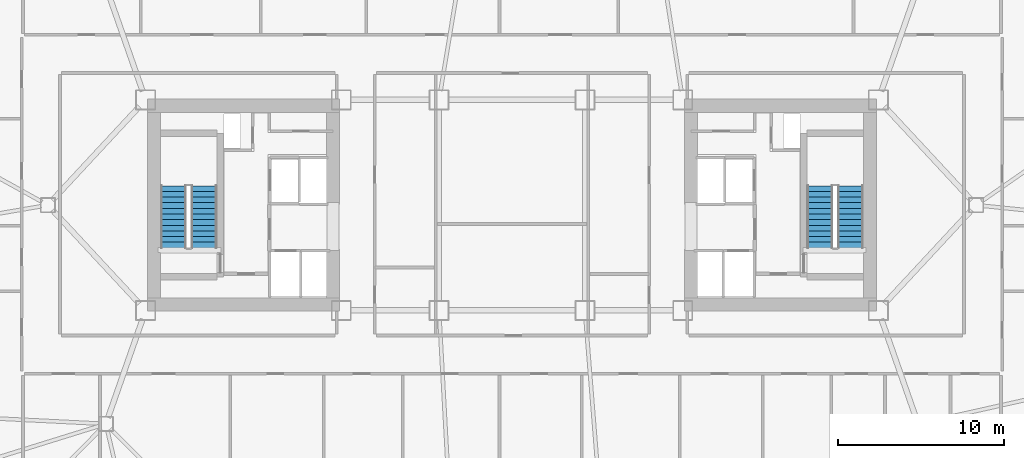
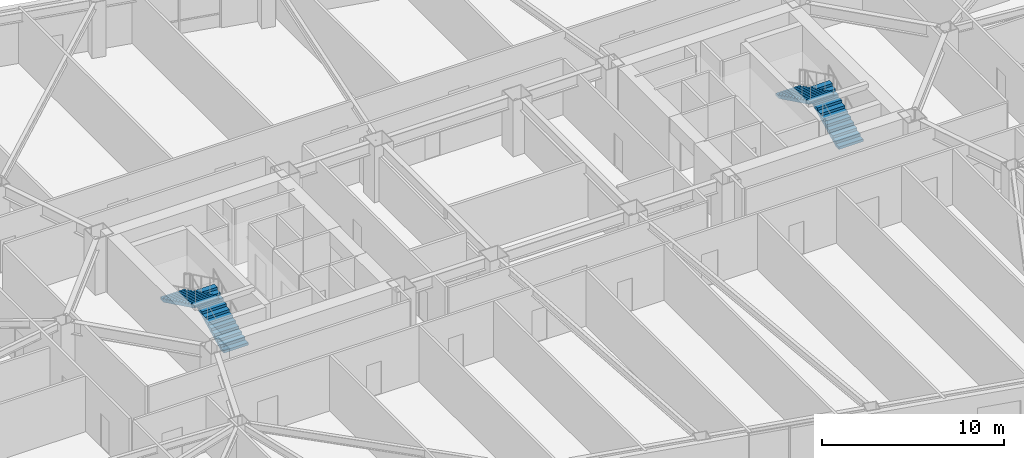
# One storey, part 14 of 19: 4 stair flights, 2 elements without a shape of their own.
"""IFC4 building model written with IfcOpenShell, lengths in metres."""

from ifc_helpers import new_model, si_unit, direction, frame, origin, place, context, subcontext, project, spatial, polyline, outline, extrude, material, type_object, element, aggregate, save


model = new_model("IFC4")

# Units and contexts
model_context = context("Model", 3, precision=1e-05, world=origin(), true_north=direction((0.0, 1.0)))
body_context = subcontext(model_context, "Body", "Model", "MODEL_VIEW")
ifc_project = project(units=[si_unit("LENGTHUNIT", "METRE"), si_unit("AREAUNIT", "SQUARE_METRE"), si_unit("VOLUMEUNIT", "CUBIC_METRE"), si_unit("PLANEANGLEUNIT", "RADIAN"), si_unit("MASSUNIT", "GRAM", prefix="KILO")], contexts=[model_context])

# Site, building, storey
site_placement = place(None, origin())
site = spatial("IfcSite", under=ifc_project, at=site_placement, CompositionType="ELEMENT")
building_placement = place(site_placement, origin())
building = spatial("IfcBuilding", under=site, at=building_placement, Name="Tavrogorsk Clinical Tower", CompositionType="ELEMENT")
storey_placement = place(building_placement, frame((0.0, 0.0, 75.39990234375)))
storey = spatial("IfcBuildingStorey", under=building, at=storey_placement, Name="L16", CompositionType="ELEMENT", Elevation=75.39990234375)

# Stair, stair flights
ifc_material_1 = material(Name="Concrete B60", Category="concrete")
stair_type = type_object("IfcStairType", Name="CoreStairAssembly", PredefinedType="HALF_TURN_STAIR", material=ifc_material_1)
stair_1_placement = place(storey_placement, origin())
stair_1 = element("IfcStair", 1, at=stair_1_placement, inside=storey, type_object=stair_type, Name="L16 ST-W", PredefinedType="HALF_TURN_STAIR")
ifc_material_2 = material(Name="Concrete B60", Category="concrete")
stair_flight_type = type_object("IfcStairFlightType", Name="CoreStairFlight", PredefinedType="STRAIGHT", material=ifc_material_2)
stair_flight_1_placement = place(storey_placement, frame((-18.574951171875, -2.574951171875, 0.0), z_axis=(0.0, 0.0, 1.0), x_axis=(0.0, 1.0, 0.0)))
stair_flight_1 = element("IfcStairFlight", 2, at=stair_flight_1_placement, type_object=stair_flight_type, Name="ST-W flight 1", NumberOfRisers=12, NumberOfTreads=11, PredefinedType="STRAIGHT", RiserHeight=0.166666667, TreadLength=0.34, context=body_context, shape_type="SweptSolid", body=[
    extrude(outline(polyline([(0.0, 0.0), (0.0, 0.166748046875), (0.340087890625, 0.166748046875), (0.340087890625, 0.333251953125), (0.679931640625, 0.333251953125), (0.679931640625, 0.5), (1.02001953125, 0.5), (1.02001953125, 0.666748046875), (1.360107421875, 0.666748046875), (1.360107421875, 0.833251953125), (1.699951171875, 0.833251953125), (1.699951171875, 1.0), (2.0400390625, 1.0), (2.0400390625, 1.166748046875), (2.3798828125, 1.166748046875), (2.3798828125, 1.333251953125), (2.719970703125, 1.333251953125), (2.719970703125, 1.5), (3.06005859375, 1.5), (3.06005859375, 1.666748046875), (3.39990234375, 1.666748046875), (3.39990234375, 1.833251953125), (3.739990234375, 1.833251953125), (3.739990234375, 2.0), (3.739990234375, 1.66650390625), (0.340576171875, 0.0), (0.0, 0.0)])), frame((0.0, 0.77490234375, 0.0), z_axis=(0.0, -1.0, 0.0), x_axis=(1.0, 0.0, 0.0)), (0.0, 0.0, 1.0), 1.550048828125),
])
stair_flight_2_placement = place(storey_placement, frame((-20.425048828125, 1.1650390625, 2.0), z_axis=(0.0, 0.0, 1.0), x_axis=(0.0, -1.0, 0.0)))
stair_flight_2 = element("IfcStairFlight", 3, at=stair_flight_2_placement, type_object=stair_flight_type, Name="ST-W flight 2", NumberOfRisers=12, NumberOfTreads=11, PredefinedType="STRAIGHT", RiserHeight=0.166666667, TreadLength=0.34, context=body_context, shape_type="SweptSolid", body=[
    extrude(outline(polyline([(0.0, 0.0), (0.0, 0.166748046875), (0.340087890625, 0.166748046875), (0.340087890625, 0.333251953125), (0.679931640625, 0.333251953125), (0.679931640625, 0.5), (1.02001953125, 0.5), (1.02001953125, 0.666748046875), (1.360107421875, 0.666748046875), (1.360107421875, 0.833251953125), (1.699951171875, 0.833251953125), (1.699951171875, 1.0), (2.0400390625, 1.0), (2.0400390625, 1.166748046875), (2.3798828125, 1.166748046875), (2.3798828125, 1.333251953125), (2.719970703125, 1.333251953125), (2.719970703125, 1.5), (3.06005859375, 1.5), (3.06005859375, 1.666748046875), (3.39990234375, 1.666748046875), (3.39990234375, 1.833251953125), (3.739990234375, 1.833251953125), (3.739990234375, 2.0), (3.739990234375, 1.66650390625), (0.340576171875, 0.0), (0.0, 0.0)])), frame((0.0, 0.77490234375, 0.0), z_axis=(0.0, -1.0, 0.0), x_axis=(1.0, 0.0, 0.0)), (0.0, 0.0, 1.0), 1.550048828125),
])
aggregate(stair_1, [stair_flight_1, stair_flight_2])

stair_2_placement = place(storey_placement, origin())
stair_2 = element("IfcStair", 4, at=stair_2_placement, inside=storey, type_object=stair_type, Name="L16 ST-E", PredefinedType="HALF_TURN_STAIR")
stair_flight_3_placement = place(storey_placement, frame((20.425048828125, -2.574951171875, 0.0), z_axis=(0.0, 0.0, 1.0), x_axis=(0.0, 1.0, 0.0)))
stair_flight_3 = element("IfcStairFlight", 5, at=stair_flight_3_placement, type_object=stair_flight_type, Name="ST-E flight 1", NumberOfRisers=12, NumberOfTreads=11, PredefinedType="STRAIGHT", RiserHeight=0.166666667, TreadLength=0.34, context=body_context, shape_type="SweptSolid", body=[
    extrude(outline(polyline([(0.0, 0.0), (0.0, 0.166748046875), (0.340087890625, 0.166748046875), (0.340087890625, 0.333251953125), (0.679931640625, 0.333251953125), (0.679931640625, 0.5), (1.02001953125, 0.5), (1.02001953125, 0.666748046875), (1.360107421875, 0.666748046875), (1.360107421875, 0.833251953125), (1.699951171875, 0.833251953125), (1.699951171875, 1.0), (2.0400390625, 1.0), (2.0400390625, 1.166748046875), (2.3798828125, 1.166748046875), (2.3798828125, 1.333251953125), (2.719970703125, 1.333251953125), (2.719970703125, 1.5), (3.06005859375, 1.5), (3.06005859375, 1.666748046875), (3.39990234375, 1.666748046875), (3.39990234375, 1.833251953125), (3.739990234375, 1.833251953125), (3.739990234375, 2.0), (3.739990234375, 1.66650390625), (0.340576171875, 0.0), (0.0, 0.0)])), frame((0.0, 0.77490234375, 0.0), z_axis=(0.0, -1.0, 0.0), x_axis=(1.0, 0.0, 0.0)), (0.0, 0.0, 1.0), 1.550048828125),
])
stair_flight_4_placement = place(storey_placement, frame((18.574951171875, 1.1650390625, 2.0), z_axis=(0.0, 0.0, 1.0), x_axis=(0.0, -1.0, 0.0)))
stair_flight_4 = element("IfcStairFlight", 6, at=stair_flight_4_placement, type_object=stair_flight_type, Name="ST-E flight 2", NumberOfRisers=12, NumberOfTreads=11, PredefinedType="STRAIGHT", RiserHeight=0.166666667, TreadLength=0.34, context=body_context, shape_type="SweptSolid", body=[
    extrude(outline(polyline([(0.0, 0.0), (0.0, 0.166748046875), (0.340087890625, 0.166748046875), (0.340087890625, 0.333251953125), (0.679931640625, 0.333251953125), (0.679931640625, 0.5), (1.02001953125, 0.5), (1.02001953125, 0.666748046875), (1.360107421875, 0.666748046875), (1.360107421875, 0.833251953125), (1.699951171875, 0.833251953125), (1.699951171875, 1.0), (2.0400390625, 1.0), (2.0400390625, 1.166748046875), (2.3798828125, 1.166748046875), (2.3798828125, 1.333251953125), (2.719970703125, 1.333251953125), (2.719970703125, 1.5), (3.06005859375, 1.5), (3.06005859375, 1.666748046875), (3.39990234375, 1.666748046875), (3.39990234375, 1.833251953125), (3.739990234375, 1.833251953125), (3.739990234375, 2.0), (3.739990234375, 1.66650390625), (0.340576171875, 0.0), (0.0, 0.0)])), frame((0.0, 0.77490234375, 0.0), z_axis=(0.0, -1.0, 0.0), x_axis=(1.0, 0.0, 0.0)), (0.0, 0.0, 1.0), 1.550048828125),
])
aggregate(stair_2, [stair_flight_3, stair_flight_4])

save(model, "model.ifc")
